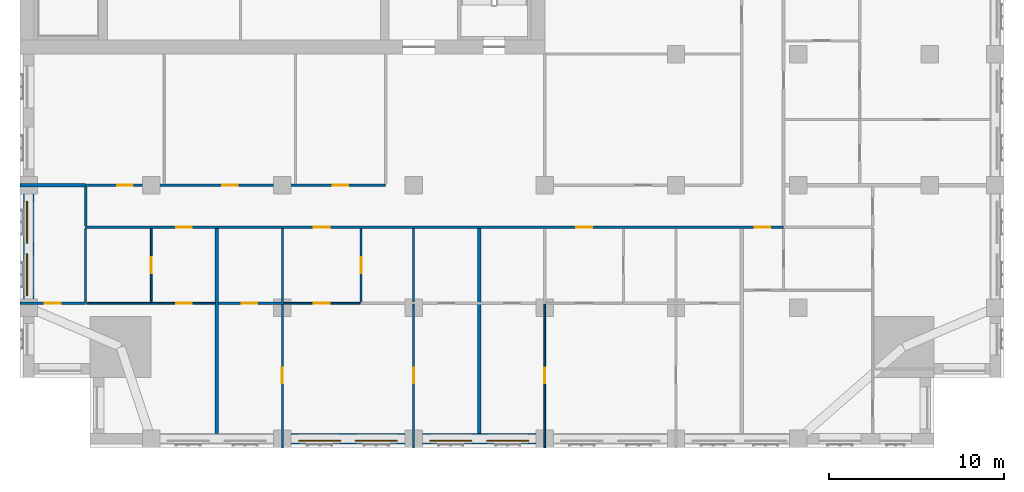
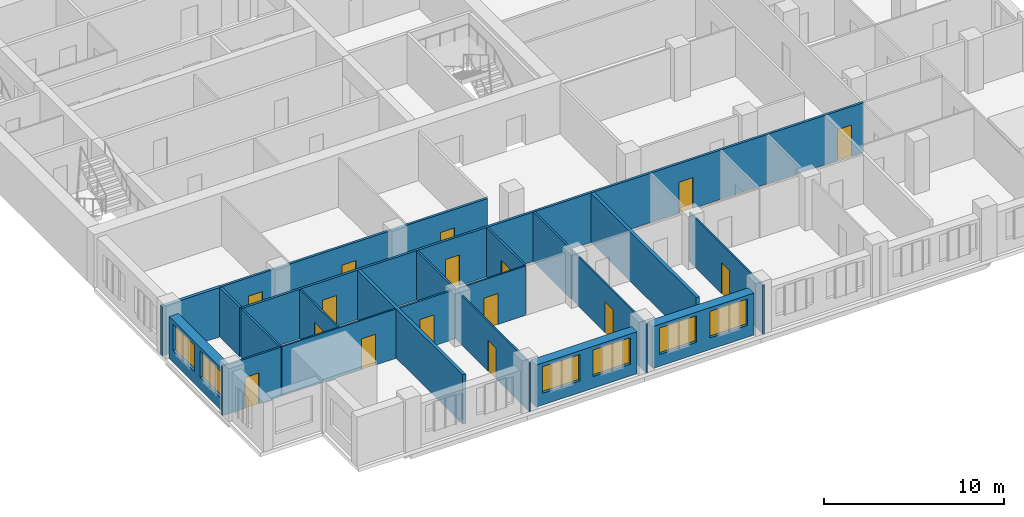
# One storey, part 4 of 13: 21 walls, 16 doors, 6 windows, 22 openings.
"""IFC4 building model written with IfcOpenShell, lengths in metres."""

from ifc_helpers import new_model, si_unit, direction, frame, frame_2d, origin, place, context, subcontext, project, spatial, rectangle, extrude, material, layer, layer_set, type_object, element, fill, save


model = new_model("IFC4")

# Units and contexts
model_context = context("Model", 3, precision=1e-05, world=origin(), true_north=direction((0.0, 1.0)))
body_context = subcontext(model_context, "Body", "Model", "MODEL_VIEW")
ifc_project = project(units=[si_unit("LENGTHUNIT", "METRE"), si_unit("AREAUNIT", "SQUARE_METRE"), si_unit("VOLUMEUNIT", "CUBIC_METRE"), si_unit("PLANEANGLEUNIT", "RADIAN"), si_unit("MASSUNIT", "GRAM", prefix="KILO")], contexts=[model_context])

# Site, building, storey
site_placement = place(None, origin())
site = spatial("IfcSite", under=ifc_project, at=site_placement, CompositionType="ELEMENT")
building_placement = place(site_placement, origin())
building = spatial("IfcBuilding", under=site, at=building_placement, Name="Tamorin Gate", CompositionType="ELEMENT")
storey_placement = place(building_placement, frame((0.0, 0.0, 144.60009765625)))
storey = spatial("IfcBuildingStorey", under=building, at=storey_placement, Name="L35", CompositionType="ELEMENT", Elevation=144.60009765625)

# Wall, openings, windows
ifc_material_1 = material(Name="Precast concrete C40/50", Category="concrete")
ifc_layer_1 = layer(ifc_material_1, 0.60009765625)
ifc_layer_set_1 = layer_set([ifc_layer_1], Name="Precast concrete C40/50")
wall_type_1 = type_object("IfcWallType", Name="Board-marked concrete facade panel 600", PredefinedType="SOLIDWALL", material=ifc_layer_set_1)
wall_1_placement = place(storey_placement, frame((45.5, 38.0, 0.0), z_axis=(0.0, 0.0, 1.0), x_axis=(1.0, 0.0, 0.0)))
wall_1 = element("IfcWall", 1, at=wall_1_placement, inside=storey, type_object=wall_type_1, Name="Facade panel", PredefinedType="SOLIDWALL", context=body_context, shape_type="SweptSolid", body=[
    extrude(rectangle(XDim=6.5, YDim=0.60009765625, at=frame_2d((3.25, 0.0))), origin(), (0.0, 0.0, 1.0), 2.849853515625),
])
opening_1_placement = place(wall_1_placement, frame((0.425048828125, 0.0, 0.800048828125)))
opening_1 = element("IfcOpeningElement", 2, at=opening_1_placement, cuts=wall_1, Name="Opening WN1", PredefinedType="OPENING", context=body_context, shape_type="SweptSolid", body=[
    extrude(rectangle(XDim=2.39990234375, YDim=1.800048828125, at=frame_2d((1.199951171875, 0.89990234375))), frame((0.0, 0.31005859375, 0.0), z_axis=(0.0, -1.0, 0.0), x_axis=(1.0, 0.0, 0.0)), (0.0, 0.0, 1.0), 0.6201171875),
])
opening_2_placement = place(wall_1_placement, frame((3.675048828125, 0.0, 0.800048828125)))
opening_2 = element("IfcOpeningElement", 3, at=opening_2_placement, cuts=wall_1, Name="Opening WN1", PredefinedType="OPENING", context=body_context, shape_type="SweptSolid", body=[
    extrude(rectangle(XDim=2.39990234375, YDim=1.800048828125, at=frame_2d((1.199951171875, 0.89990234375))), frame((0.0, 0.31005859375, 0.0), z_axis=(0.0, -1.0, 0.0), x_axis=(1.0, 0.0, 0.0)), (0.0, 0.0, 1.0), 0.6201171875),
])
ifc_material_2 = material(Name="Clear glass in aluminium frame", Category="aluminium")
window_type = type_object("IfcWindowType", Name="Deep-set window 2400x1800", PartitioningType="SINGLE_PANEL", PredefinedType="WINDOW", material=ifc_material_2)
window_1_placement = place(opening_1_placement, origin())
window_1 = element("IfcWindow", 4, at=window_1_placement, inside=storey, type_object=window_type, Name="Deep-set window", OverallHeight=1.800048828125, OverallWidth=2.39990234375, PartitioningType="SINGLE_PANEL", PredefinedType="WINDOW", context=body_context, shape_type="SweptSolid", body=[
    extrude(rectangle(XDim=2.39990234375, YDim=1.800048828125, at=frame_2d((1.199951171875, 0.89990234375))), frame((0.0, -0.070068359375, 0.0), z_axis=(0.0, -1.0, 0.0), x_axis=(1.0, 0.0, 0.0)), (0.0, 0.0, 1.0), 0.06005859375),
])
fill(opening_1, window_1)
window_2_placement = place(opening_2_placement, origin())
window_2 = element("IfcWindow", 5, at=window_2_placement, inside=storey, type_object=window_type, Name="Deep-set window", OverallHeight=1.800048828125, OverallWidth=2.39990234375, PartitioningType="SINGLE_PANEL", PredefinedType="WINDOW", context=body_context, shape_type="SweptSolid", body=[
    extrude(rectangle(XDim=2.39990234375, YDim=1.800048828125, at=frame_2d((1.199951171875, 0.89990234375))), frame((0.0, -0.070068359375, 0.0), z_axis=(0.0, -1.0, 0.0), x_axis=(1.0, 0.0, 0.0)), (0.0, 0.0, 1.0), 0.06005859375),
])
fill(opening_2, window_2)

wall_2_placement = place(storey_placement, frame((53.0, 38.0, 0.0), z_axis=(0.0, 0.0, 1.0), x_axis=(1.0, 0.0, 0.0)))
wall_2 = element("IfcWall", 6, at=wall_2_placement, inside=storey, type_object=wall_type_1, Name="Facade panel", PredefinedType="SOLIDWALL", context=body_context, shape_type="SweptSolid", body=[
    extrude(rectangle(XDim=6.5, YDim=0.60009765625, at=frame_2d((3.25, 0.0))), origin(), (0.0, 0.0, 1.0), 2.849853515625),
])
opening_3_placement = place(wall_2_placement, frame((0.425048828125, 0.0, 0.800048828125)))
opening_3 = element("IfcOpeningElement", 7, at=opening_3_placement, cuts=wall_2, Name="Opening WN1", PredefinedType="OPENING", context=body_context, shape_type="SweptSolid", body=[
    extrude(rectangle(XDim=2.39990234375, YDim=1.800048828125, at=frame_2d((1.199951171875, 0.89990234375))), frame((0.0, 0.31005859375, 0.0), z_axis=(0.0, -1.0, 0.0), x_axis=(1.0, 0.0, 0.0)), (0.0, 0.0, 1.0), 0.6201171875),
])
opening_4_placement = place(wall_2_placement, frame((3.675048828125, 0.0, 0.800048828125)))
opening_4 = element("IfcOpeningElement", 8, at=opening_4_placement, cuts=wall_2, Name="Opening WN1", PredefinedType="OPENING", context=body_context, shape_type="SweptSolid", body=[
    extrude(rectangle(XDim=2.39990234375, YDim=1.800048828125, at=frame_2d((1.199951171875, 0.89990234375))), frame((0.0, 0.31005859375, 0.0), z_axis=(0.0, -1.0, 0.0), x_axis=(1.0, 0.0, 0.0)), (0.0, 0.0, 1.0), 0.6201171875),
])
window_3_placement = place(opening_3_placement, origin())
window_3 = element("IfcWindow", 9, at=window_3_placement, inside=storey, type_object=window_type, Name="Deep-set window", OverallHeight=1.800048828125, OverallWidth=2.39990234375, PartitioningType="SINGLE_PANEL", PredefinedType="WINDOW", context=body_context, shape_type="SweptSolid", body=[
    extrude(rectangle(XDim=2.39990234375, YDim=1.800048828125, at=frame_2d((1.199951171875, 0.89990234375))), frame((0.0, -0.070068359375, 0.0), z_axis=(0.0, -1.0, 0.0), x_axis=(1.0, 0.0, 0.0)), (0.0, 0.0, 1.0), 0.06005859375),
])
fill(opening_3, window_3)
window_4_placement = place(opening_4_placement, origin())
window_4 = element("IfcWindow", 10, at=window_4_placement, inside=storey, type_object=window_type, Name="Deep-set window", OverallHeight=1.800048828125, OverallWidth=2.39990234375, PartitioningType="SINGLE_PANEL", PredefinedType="WINDOW", context=body_context, shape_type="SweptSolid", body=[
    extrude(rectangle(XDim=2.39990234375, YDim=1.800048828125, at=frame_2d((1.199951171875, 0.89990234375))), frame((0.0, -0.070068359375, 0.0), z_axis=(0.0, -1.0, 0.0), x_axis=(1.0, 0.0, 0.0)), (0.0, 0.0, 1.0), 0.06005859375),
])
fill(opening_4, window_4)

wall_3_placement = place(storey_placement, frame((30.5, 52.0, 0.0), z_axis=(0.0, 0.0, 1.0), x_axis=(0.0, -1.0, 0.0)))
wall_3 = element("IfcWall", 11, at=wall_3_placement, inside=storey, type_object=wall_type_1, Name="Facade panel", PredefinedType="SOLIDWALL", context=body_context, shape_type="SweptSolid", body=[
    extrude(rectangle(XDim=6.0, YDim=0.60009765625, at=frame_2d((3.0, 0.0))), origin(), (0.0, 0.0, 1.0), 2.849853515625),
])
opening_5_placement = place(wall_3_placement, frame((3.425048828125, 0.0, 0.800048828125)))
opening_5 = element("IfcOpeningElement", 12, at=opening_5_placement, cuts=wall_3, Name="Opening WN1", PredefinedType="OPENING", context=body_context, shape_type="SweptSolid", body=[
    extrude(rectangle(XDim=2.39990234375, YDim=1.800048828125, at=frame_2d((1.199951171875, 0.89990234375))), frame((0.0, 0.31005859375, 0.0), z_axis=(0.0, -1.0, 0.0), x_axis=(1.0, 0.0, 0.0)), (0.0, 0.0, 1.0), 0.6201171875),
])
opening_6_placement = place(wall_3_placement, frame((0.425048828125, 0.0, 0.800048828125)))
opening_6 = element("IfcOpeningElement", 13, at=opening_6_placement, cuts=wall_3, Name="Opening WN1", PredefinedType="OPENING", context=body_context, shape_type="SweptSolid", body=[
    extrude(rectangle(XDim=2.39990234375, YDim=1.800048828125, at=frame_2d((1.199951171875, 0.89990234375))), frame((0.0, 0.31005859375, 0.0), z_axis=(0.0, -1.0, 0.0), x_axis=(1.0, 0.0, 0.0)), (0.0, 0.0, 1.0), 0.6201171875),
])
window_5_placement = place(opening_5_placement, origin())
window_5 = element("IfcWindow", 14, at=window_5_placement, inside=storey, type_object=window_type, Name="Deep-set window", OverallHeight=1.800048828125, OverallWidth=2.39990234375, PartitioningType="SINGLE_PANEL", PredefinedType="WINDOW", context=body_context, shape_type="SweptSolid", body=[
    extrude(rectangle(XDim=2.39990234375, YDim=1.800048828125, at=frame_2d((1.199951171875, 0.89990234375))), frame((0.0, -0.070068359375, 0.0), z_axis=(0.0, -1.0, 0.0), x_axis=(1.0, 0.0, 0.0)), (0.0, 0.0, 1.0), 0.06005859375),
])
fill(opening_5, window_5)
window_6_placement = place(opening_6_placement, origin())
window_6 = element("IfcWindow", 15, at=window_6_placement, inside=storey, type_object=window_type, Name="Deep-set window", OverallHeight=1.800048828125, OverallWidth=2.39990234375, PartitioningType="SINGLE_PANEL", PredefinedType="WINDOW", context=body_context, shape_type="SweptSolid", body=[
    extrude(rectangle(XDim=2.39990234375, YDim=1.800048828125, at=frame_2d((1.199951171875, 0.89990234375))), frame((0.0, -0.070068359375, 0.0), z_axis=(0.0, -1.0, 0.0), x_axis=(1.0, 0.0, 0.0)), (0.0, 0.0, 1.0), 0.06005859375),
])
fill(opening_6, window_6)

# Wall, openings, doors
ifc_material_3 = material(Name="Gypsum board partition")
ifc_layer_2 = layer(ifc_material_3, 0.14990234375)
ifc_layer_set_2 = layer_set([ifc_layer_2], Name="Corridor wall 150")
wall_type_2 = type_object("IfcWallType", Name="Corridor wall 150", PredefinedType="PARTITIONING", material=ifc_layer_set_2)
wall_4_placement = place(storey_placement, frame((33.75, 50.10009765625, 0.0), z_axis=(0.0, 0.0, 1.0), x_axis=(1.0, 0.0, 0.0)))
wall_4 = element("IfcWall", 16, at=wall_4_placement, inside=storey, type_object=wall_type_2, Name="Corridor wall 150", PredefinedType="PARTITIONING", context=body_context, shape_type="SweptSolid", body=[
    extrude(rectangle(XDim=39.89990234375, YDim=0.14990234375, at=frame_2d((19.949951171875, 0.0))), origin(), (0.0, 0.0, 1.0), 3.349853515625),
])
opening_7_placement = place(wall_4_placement, frame((5.175048828125, 0.0, 0.0)))
opening_7 = element("IfcOpeningElement", 17, at=opening_7_placement, cuts=wall_4, Name="Opening DS1003", PredefinedType="OPENING", context=body_context, shape_type="SweptSolid", body=[
    extrude(rectangle(XDim=0.89990234375, YDim=2.10009765625, at=frame_2d((0.449951171875, 1.050048828125))), frame((0.0, 0.0849609375, 0.0), z_axis=(0.0, -1.0, 0.0), x_axis=(1.0, 0.0, 0.0)), (0.0, 0.0, 1.0), 0.169921875),
])
opening_8_placement = place(wall_4_placement, frame((13.050048828125, 0.0, 0.0)))
opening_8 = element("IfcOpeningElement", 18, at=opening_8_placement, cuts=wall_4, Name="Opening DS1006", PredefinedType="OPENING", context=body_context, shape_type="SweptSolid", body=[
    extrude(rectangle(XDim=0.89990234375, YDim=2.10009765625, at=frame_2d((0.449951171875, 1.050048828125))), frame((0.0, 0.0849609375, 0.0), z_axis=(0.0, -1.0, 0.0), x_axis=(1.0, 0.0, 0.0)), (0.0, 0.0, 1.0), 0.169921875),
])
opening_9_placement = place(wall_4_placement, frame((28.050048828125, 0.0, 0.0)))
opening_9 = element("IfcOpeningElement", 19, at=opening_9_placement, cuts=wall_4, Name="Opening DS1013", PredefinedType="OPENING", context=body_context, shape_type="SweptSolid", body=[
    extrude(rectangle(XDim=0.89990234375, YDim=2.10009765625, at=frame_2d((0.449951171875, 1.050048828125))), frame((0.0, 0.0849609375, 0.0), z_axis=(0.0, -1.0, 0.0), x_axis=(1.0, 0.0, 0.0)), (0.0, 0.0, 1.0), 0.169921875),
])
opening_10_placement = place(wall_4_placement, frame((38.25, 0.0, 0.0)))
opening_10 = element("IfcOpeningElement", 20, at=opening_10_placement, cuts=wall_4, Name="Opening DS1051", PredefinedType="OPENING", context=body_context, shape_type="SweptSolid", body=[
    extrude(rectangle(XDim=0.89990234375, YDim=2.10009765625, at=frame_2d((0.449951171875, 1.050048828125))), frame((0.0, 0.0849609375, 0.0), z_axis=(0.0, -1.0, 0.0), x_axis=(1.0, 0.0, 0.0)), (0.0, 0.0, 1.0), 0.169921875),
])
ifc_material_4 = material(Name="Timber door leaf", Category="wood")
door_type_1 = type_object("IfcDoorType", Name="Door 900 x 2100 FD30S", OperationType="NOTDEFINED", PredefinedType="DOOR", material=ifc_material_4)
door_1_placement = place(opening_7_placement, origin())
door_1 = element("IfcDoor", 21, at=door_1_placement, inside=storey, type_object=door_type_1, Name="Door DS1003", OperationType="SINGLE_SWING_RIGHT", OverallHeight=2.10009765625, OverallWidth=0.89990234375, PredefinedType="DOOR", context=body_context, shape_type="SweptSolid", body=[
    extrude(rectangle(XDim=0.89990234375, YDim=2.10009765625, at=frame_2d((0.449951171875, 1.050048828125))), frame((0.0, 0.02490234375, 0.0), z_axis=(0.0, -1.0, 0.0), x_axis=(1.0, 0.0, 0.0)), (0.0, 0.0, 1.0), 0.050048828125),
])
fill(opening_7, door_1)
door_2_placement = place(opening_8_placement, origin())
door_2 = element("IfcDoor", 22, at=door_2_placement, inside=storey, type_object=door_type_1, Name="Door DS1006", OperationType="SINGLE_SWING_RIGHT", OverallHeight=2.10009765625, OverallWidth=0.89990234375, PredefinedType="DOOR", context=body_context, shape_type="SweptSolid", body=[
    extrude(rectangle(XDim=0.89990234375, YDim=2.10009765625, at=frame_2d((0.449951171875, 1.050048828125))), frame((0.0, 0.02490234375, 0.0), z_axis=(0.0, -1.0, 0.0), x_axis=(1.0, 0.0, 0.0)), (0.0, 0.0, 1.0), 0.050048828125),
])
fill(opening_8, door_2)
door_3_placement = place(opening_9_placement, origin())
door_3 = element("IfcDoor", 23, at=door_3_placement, inside=storey, type_object=door_type_1, Name="Door DS1013", OperationType="SINGLE_SWING_RIGHT", OverallHeight=2.10009765625, OverallWidth=0.89990234375, PredefinedType="DOOR", context=body_context, shape_type="SweptSolid", body=[
    extrude(rectangle(XDim=0.89990234375, YDim=2.10009765625, at=frame_2d((0.449951171875, 1.050048828125))), frame((0.0, 0.02490234375, 0.0), z_axis=(0.0, -1.0, 0.0), x_axis=(1.0, 0.0, 0.0)), (0.0, 0.0, 1.0), 0.050048828125),
])
fill(opening_9, door_3)
door_4_placement = place(opening_10_placement, origin())
door_4 = element("IfcDoor", 24, at=door_4_placement, inside=storey, type_object=door_type_1, Name="Door DS1051", OperationType="SINGLE_SWING_LEFT", OverallHeight=2.10009765625, OverallWidth=0.89990234375, PredefinedType="DOOR", context=body_context, shape_type="SweptSolid", body=[
    extrude(rectangle(XDim=0.89990234375, YDim=2.10009765625, at=frame_2d((0.449951171875, 1.050048828125))), frame((0.0, 0.02490234375, 0.0), z_axis=(0.0, -1.0, 0.0), x_axis=(1.0, 0.0, 0.0)), (0.0, 0.0, 1.0), 0.050048828125),
])
fill(opening_10, door_4)

wall_5_placement = place(storey_placement, frame((33.75, 52.5, 0.0), z_axis=(0.0, 0.0, 1.0), x_axis=(1.0, 0.0, 0.0)))
wall_5 = element("IfcWall", 25, at=wall_5_placement, inside=storey, type_object=wall_type_2, Name="Corridor wall 150", PredefinedType="PARTITIONING", context=body_context, shape_type="SweptSolid", body=[
    extrude(rectangle(XDim=17.14990234375, YDim=0.14990234375, at=frame_2d((8.574951171875, 0.0))), origin(), (0.0, 0.0, 1.0), 3.349853515625),
])
opening_11_placement = place(wall_5_placement, frame((1.800048828125, 0.0, 0.0)))
opening_11 = element("IfcOpeningElement", 26, at=opening_11_placement, cuts=wall_5, Name="Opening DS1063", PredefinedType="OPENING", context=body_context, shape_type="SweptSolid", body=[
    extrude(rectangle(XDim=0.89990234375, YDim=2.10009765625, at=frame_2d((0.449951171875, 1.050048828125))), frame((0.0, 0.0849609375, 0.0), z_axis=(0.0, -1.0, 0.0), x_axis=(1.0, 0.0, 0.0)), (0.0, 0.0, 1.0), 0.169921875),
])
opening_12_placement = place(wall_5_placement, frame((7.800048828125, 0.0, 0.0)))
opening_12 = element("IfcOpeningElement", 27, at=opening_12_placement, cuts=wall_5, Name="Opening DS1064", PredefinedType="OPENING", context=body_context, shape_type="SweptSolid", body=[
    extrude(rectangle(XDim=0.89990234375, YDim=2.10009765625, at=frame_2d((0.449951171875, 1.050048828125))), frame((0.0, 0.0849609375, 0.0), z_axis=(0.0, -1.0, 0.0), x_axis=(1.0, 0.0, 0.0)), (0.0, 0.0, 1.0), 0.169921875),
])
opening_13_placement = place(wall_5_placement, frame((14.125, 0.0, 0.0)))
opening_13 = element("IfcOpeningElement", 28, at=opening_13_placement, cuts=wall_5, Name="Opening DS1065", PredefinedType="OPENING", context=body_context, shape_type="SweptSolid", body=[
    extrude(rectangle(XDim=0.89990234375, YDim=2.10009765625, at=frame_2d((0.449951171875, 1.050048828125))), frame((0.0, 0.0849609375, 0.0), z_axis=(0.0, -1.0, 0.0), x_axis=(1.0, 0.0, 0.0)), (0.0, 0.0, 1.0), 0.169921875),
])
door_5_placement = place(opening_11_placement, origin())
door_5 = element("IfcDoor", 29, at=door_5_placement, inside=storey, type_object=door_type_1, Name="Door DS1063", OperationType="SINGLE_SWING_LEFT", OverallHeight=2.10009765625, OverallWidth=0.89990234375, PredefinedType="DOOR", context=body_context, shape_type="SweptSolid", body=[
    extrude(rectangle(XDim=0.89990234375, YDim=2.10009765625, at=frame_2d((0.449951171875, 1.050048828125))), frame((0.0, 0.02490234375, 0.0), z_axis=(0.0, -1.0, 0.0), x_axis=(1.0, 0.0, 0.0)), (0.0, 0.0, 1.0), 0.050048828125),
])
fill(opening_11, door_5)
door_6_placement = place(opening_12_placement, origin())
door_6 = element("IfcDoor", 30, at=door_6_placement, inside=storey, type_object=door_type_1, Name="Door DS1064", OperationType="SINGLE_SWING_LEFT", OverallHeight=2.10009765625, OverallWidth=0.89990234375, PredefinedType="DOOR", context=body_context, shape_type="SweptSolid", body=[
    extrude(rectangle(XDim=0.89990234375, YDim=2.10009765625, at=frame_2d((0.449951171875, 1.050048828125))), frame((0.0, 0.02490234375, 0.0), z_axis=(0.0, -1.0, 0.0), x_axis=(1.0, 0.0, 0.0)), (0.0, 0.0, 1.0), 0.050048828125),
])
fill(opening_12, door_6)
door_7_placement = place(opening_13_placement, origin())
door_7 = element("IfcDoor", 31, at=door_7_placement, inside=storey, type_object=door_type_1, Name="Door DS1065", OperationType="SINGLE_SWING_LEFT", OverallHeight=2.10009765625, OverallWidth=0.89990234375, PredefinedType="DOOR", context=body_context, shape_type="SweptSolid", body=[
    extrude(rectangle(XDim=0.89990234375, YDim=2.10009765625, at=frame_2d((0.449951171875, 1.050048828125))), frame((0.0, 0.02490234375, 0.0), z_axis=(0.0, -1.0, 0.0), x_axis=(1.0, 0.0, 0.0)), (0.0, 0.0, 1.0), 0.050048828125),
])
fill(opening_13, door_7)

# Walls
wall_6_placement = place(storey_placement, frame((33.75, 50.175048828125, 0.0), z_axis=(0.0, 0.0, 1.0), x_axis=(0.0, 1.0, 0.0)))
element("IfcWall", 32, at=wall_6_placement, inside=storey, type_object=wall_type_2, Name="Corridor wall 150", PredefinedType="PARTITIONING", context=body_context, shape_type="SweptSolid", body=[
    extrude(rectangle(XDim=2.224853515625, YDim=0.14990234375, at=frame_2d((1.1123046875, 0.0))), origin(), (0.0, 0.0, 1.0), 3.349853515625),
])
ifc_layer_3 = layer(ifc_material_3, 0.199951171875)
ifc_layer_set_3 = layer_set([ifc_layer_3], Name="Demising wall 200")
wall_type_3 = type_object("IfcWallType", Name="Demising wall 200", PredefinedType="PARTITIONING", material=ifc_layer_set_3)
wall_7_placement = place(storey_placement, frame((30.0, 52.5, 0.0), z_axis=(0.0, 0.0, 1.0), x_axis=(1.0, 0.0, 0.0)))
element("IfcWall", 33, at=wall_7_placement, inside=storey, type_object=wall_type_3, Name="Demising wall 200", PredefinedType="PARTITIONING", context=body_context, shape_type="SweptSolid", body=[
    extrude(rectangle(XDim=3.75, YDim=0.199951171875, at=frame_2d((1.875, 0.0))), origin(), (0.0, 0.0, 1.0), 3.349853515625),
])
for number, where, z_axis, x_axis, name in (
    (34, (41.25, 38.31005859375, 0.0), (0.0, 0.0, 1.0), (0.0, 1.0, 0.0), "Demising wall 200"),
    (35, (56.25, 38.31005859375, 0.0), (0.0, 0.0, 1.0), (0.0, 1.0, 0.0), "Demising wall 200"),
):
    element("IfcWall", number, at=place(storey_placement, frame(where, z_axis=z_axis, x_axis=x_axis)), inside=storey, type_object=wall_type_3, Name=name, PredefinedType="PARTITIONING", context=body_context, shape_type="SweptSolid", body=[
        extrude(rectangle(XDim=11.71484375, YDim=0.199951171875, at=frame_2d((5.857421875, 0.0))), origin(), (0.0, 0.0, 1.0), 3.349853515625),
    ])

# Wall, opening, door
ifc_layer_4 = layer(ifc_material_3, 0.10009765625)
ifc_layer_set_4 = layer_set([ifc_layer_4], Name="Room partition 100")
wall_type_4 = type_object("IfcWallType", Name="Room partition 100", PredefinedType="PARTITIONING", material=ifc_layer_set_4)
wall_8_placement = place(storey_placement, frame((33.8125, 45.75, 0.0), z_axis=(0.0, 0.0, 1.0), x_axis=(1.0, 0.0, 0.0)))
wall_8 = element("IfcWall", 36, at=wall_8_placement, inside=storey, type_object=wall_type_4, Name="Room partition 100", PredefinedType="PARTITIONING", context=body_context, shape_type="SweptSolid", body=[
    extrude(rectangle(XDim=7.33740234375, YDim=0.10009765625, at=frame_2d((3.668701171875, 0.0))), origin(), (0.0, 0.0, 1.0), 3.349853515625),
])
opening_14_placement = place(wall_8_placement, frame((5.112548828125, 0.0, 0.0)))
opening_14 = element("IfcOpeningElement", 37, at=opening_14_placement, cuts=wall_8, Name="Opening DS1004", PredefinedType="OPENING", context=body_context, shape_type="SweptSolid", body=[
    extrude(rectangle(XDim=0.89990234375, YDim=2.10009765625, at=frame_2d((0.449951171875, 1.050048828125))), frame((0.0, 0.06005859375, 0.0), z_axis=(0.0, -1.0, 0.0), x_axis=(1.0, 0.0, 0.0)), (0.0, 0.0, 1.0), 0.1201171875),
])
door_type_2 = type_object("IfcDoorType", Name="Door 900 x 2100", OperationType="NOTDEFINED", PredefinedType="DOOR", material=ifc_material_4)
door_8_placement = place(opening_14_placement, origin())
door_8 = element("IfcDoor", 38, at=door_8_placement, inside=storey, type_object=door_type_2, Name="Door DS1004", OperationType="SINGLE_SWING_LEFT", OverallHeight=2.10009765625, OverallWidth=0.89990234375, PredefinedType="DOOR", context=body_context, shape_type="SweptSolid", body=[
    extrude(rectangle(XDim=0.89990234375, YDim=2.10009765625, at=frame_2d((0.449951171875, 1.050048828125))), frame((0.0, 0.02490234375, 0.0), z_axis=(0.0, -1.0, 0.0), x_axis=(1.0, 0.0, 0.0)), (0.0, 0.0, 1.0), 0.050048828125),
])
fill(opening_14, door_8)

wall_9_placement = place(storey_placement, frame((45.0625, 45.75, 0.0), z_axis=(0.0, 0.0, 1.0), x_axis=(1.0, 0.0, 0.0)))
wall_9 = element("IfcWall", 39, at=wall_9_placement, inside=storey, type_object=wall_type_4, Name="Room partition 100", PredefinedType="PARTITIONING", context=body_context, shape_type="SweptSolid", body=[
    extrude(rectangle(XDim=4.375, YDim=0.10009765625, at=frame_2d((2.1875, 0.0))), origin(), (0.0, 0.0, 1.0), 3.349853515625),
])
opening_15_placement = place(wall_9_placement, frame((1.737548828125, 0.0, 0.0)))
opening_15 = element("IfcOpeningElement", 40, at=opening_15_placement, cuts=wall_9, Name="Opening DS1007", PredefinedType="OPENING", context=body_context, shape_type="SweptSolid", body=[
    extrude(rectangle(XDim=0.89990234375, YDim=2.10009765625, at=frame_2d((0.449951171875, 1.050048828125))), frame((0.0, 0.06005859375, 0.0), z_axis=(0.0, -1.0, 0.0), x_axis=(1.0, 0.0, 0.0)), (0.0, 0.0, 1.0), 0.1201171875),
])
door_9_placement = place(opening_15_placement, origin())
door_9 = element("IfcDoor", 41, at=door_9_placement, inside=storey, type_object=door_type_2, Name="Door DS1007", OperationType="SINGLE_SWING_LEFT", OverallHeight=2.10009765625, OverallWidth=0.89990234375, PredefinedType="DOOR", context=body_context, shape_type="SweptSolid", body=[
    extrude(rectangle(XDim=0.89990234375, YDim=2.10009765625, at=frame_2d((0.449951171875, 1.050048828125))), frame((0.0, 0.02490234375, 0.0), z_axis=(0.0, -1.0, 0.0), x_axis=(1.0, 0.0, 0.0)), (0.0, 0.0, 1.0), 0.050048828125),
])
fill(opening_15, door_9)

wall_10_placement = place(storey_placement, frame((37.5, 45.800048828125, 0.0), z_axis=(0.0, 0.0, 1.0), x_axis=(0.0, 1.0, 0.0)))
wall_10 = element("IfcWall", 42, at=wall_10_placement, inside=storey, type_object=wall_type_4, Name="Room partition 100", PredefinedType="PARTITIONING", context=body_context, shape_type="SweptSolid", body=[
    extrude(rectangle(XDim=4.224853515625, YDim=0.10009765625, at=frame_2d((2.1123046875, 0.0))), origin(), (0.0, 0.0, 1.0), 3.349853515625),
])
opening_16_placement = place(wall_10_placement, frame((1.675048828125, 0.0, 0.0)))
opening_16 = element("IfcOpeningElement", 43, at=opening_16_placement, cuts=wall_10, Name="Opening DS1002", PredefinedType="OPENING", context=body_context, shape_type="SweptSolid", body=[
    extrude(rectangle(XDim=0.89990234375, YDim=2.10009765625, at=frame_2d((0.449951171875, 1.050048828125))), frame((0.0, 0.06005859375, 0.0), z_axis=(0.0, -1.0, 0.0), x_axis=(1.0, 0.0, 0.0)), (0.0, 0.0, 1.0), 0.1201171875),
])
door_10_placement = place(opening_16_placement, origin())
door_10 = element("IfcDoor", 44, at=door_10_placement, inside=storey, type_object=door_type_2, Name="Door DS1002", OperationType="SINGLE_SWING_RIGHT", OverallHeight=2.10009765625, OverallWidth=0.89990234375, PredefinedType="DOOR", context=body_context, shape_type="SweptSolid", body=[
    extrude(rectangle(XDim=0.89990234375, YDim=2.10009765625, at=frame_2d((0.449951171875, 1.050048828125))), frame((0.0, 0.02490234375, 0.0), z_axis=(0.0, -1.0, 0.0), x_axis=(1.0, 0.0, 0.0)), (0.0, 0.0, 1.0), 0.050048828125),
])
fill(opening_16, door_10)

wall_11_placement = place(storey_placement, frame((45.0, 37.5, 0.0), z_axis=(0.0, 0.0, 1.0), x_axis=(0.0, 1.0, 0.0)))
wall_11 = element("IfcWall", 45, at=wall_11_placement, inside=storey, type_object=wall_type_4, Name="Room partition 100", PredefinedType="PARTITIONING", context=body_context, shape_type="SweptSolid", body=[
    extrude(rectangle(XDim=8.1875, YDim=0.10009765625, at=frame_2d((4.09375, 0.0))), origin(), (0.0, 0.0, 1.0), 3.349853515625),
])
opening_17_placement = place(wall_11_placement, frame((3.675048828125, 0.0, 0.0)))
opening_17 = element("IfcOpeningElement", 46, at=opening_17_placement, cuts=wall_11, Name="Opening DS1010", PredefinedType="OPENING", context=body_context, shape_type="SweptSolid", body=[
    extrude(rectangle(XDim=0.89990234375, YDim=2.10009765625, at=frame_2d((0.449951171875, 1.050048828125))), frame((0.0, 0.06005859375, 0.0), z_axis=(0.0, -1.0, 0.0), x_axis=(1.0, 0.0, 0.0)), (0.0, 0.0, 1.0), 0.1201171875),
])
door_11_placement = place(opening_17_placement, origin())
door_11 = element("IfcDoor", 47, at=door_11_placement, inside=storey, type_object=door_type_2, Name="Door DS1010", OperationType="SINGLE_SWING_LEFT", OverallHeight=2.10009765625, OverallWidth=0.89990234375, PredefinedType="DOOR", context=body_context, shape_type="SweptSolid", body=[
    extrude(rectangle(XDim=0.89990234375, YDim=2.10009765625, at=frame_2d((0.449951171875, 1.050048828125))), frame((0.0, 0.02490234375, 0.0), z_axis=(0.0, -1.0, 0.0), x_axis=(1.0, 0.0, 0.0)), (0.0, 0.0, 1.0), 0.050048828125),
])
fill(opening_17, door_11)

wall_12_placement = place(storey_placement, frame((52.5, 37.5, 0.0), z_axis=(0.0, 0.0, 1.0), x_axis=(0.0, 1.0, 0.0)))
wall_12 = element("IfcWall", 48, at=wall_12_placement, inside=storey, type_object=wall_type_4, Name="Room partition 100", PredefinedType="PARTITIONING", context=body_context, shape_type="SweptSolid", body=[
    extrude(rectangle(XDim=8.1875, YDim=0.10009765625, at=frame_2d((4.09375, 0.0))), origin(), (0.0, 0.0, 1.0), 3.349853515625),
])
opening_18_placement = place(wall_12_placement, frame((3.675048828125, 0.0, 0.0)))
opening_18 = element("IfcOpeningElement", 49, at=opening_18_placement, cuts=wall_12, Name="Opening DS1011", PredefinedType="OPENING", context=body_context, shape_type="SweptSolid", body=[
    extrude(rectangle(XDim=0.89990234375, YDim=2.10009765625, at=frame_2d((0.449951171875, 1.050048828125))), frame((0.0, 0.06005859375, 0.0), z_axis=(0.0, -1.0, 0.0), x_axis=(1.0, 0.0, 0.0)), (0.0, 0.0, 1.0), 0.1201171875),
])
door_12_placement = place(opening_18_placement, origin())
door_12 = element("IfcDoor", 50, at=door_12_placement, inside=storey, type_object=door_type_2, Name="Door DS1011", OperationType="SINGLE_SWING_LEFT", OverallHeight=2.10009765625, OverallWidth=0.89990234375, PredefinedType="DOOR", context=body_context, shape_type="SweptSolid", body=[
    extrude(rectangle(XDim=0.89990234375, YDim=2.10009765625, at=frame_2d((0.449951171875, 1.050048828125))), frame((0.0, 0.02490234375, 0.0), z_axis=(0.0, -1.0, 0.0), x_axis=(1.0, 0.0, 0.0)), (0.0, 0.0, 1.0), 0.050048828125),
])
fill(opening_18, door_12)

wall_13_placement = place(storey_placement, frame((60.0, 37.5, 0.0), z_axis=(0.0, 0.0, 1.0), x_axis=(0.0, 1.0, 0.0)))
wall_13 = element("IfcWall", 51, at=wall_13_placement, inside=storey, type_object=wall_type_4, Name="Room partition 100", PredefinedType="PARTITIONING", context=body_context, shape_type="SweptSolid", body=[
    extrude(rectangle(XDim=8.1875, YDim=0.10009765625, at=frame_2d((4.09375, 0.0))), origin(), (0.0, 0.0, 1.0), 3.349853515625),
])
opening_19_placement = place(wall_13_placement, frame((3.675048828125, 0.0, 0.0)))
opening_19 = element("IfcOpeningElement", 52, at=opening_19_placement, cuts=wall_13, Name="Opening DS1017", PredefinedType="OPENING", context=body_context, shape_type="SweptSolid", body=[
    extrude(rectangle(XDim=0.89990234375, YDim=2.10009765625, at=frame_2d((0.449951171875, 1.050048828125))), frame((0.0, 0.06005859375, 0.0), z_axis=(0.0, -1.0, 0.0), x_axis=(1.0, 0.0, 0.0)), (0.0, 0.0, 1.0), 0.1201171875),
])
door_13_placement = place(opening_19_placement, origin())
door_13 = element("IfcDoor", 53, at=door_13_placement, inside=storey, type_object=door_type_2, Name="Door DS1017", OperationType="SINGLE_SWING_LEFT", OverallHeight=2.10009765625, OverallWidth=0.89990234375, PredefinedType="DOOR", context=body_context, shape_type="SweptSolid", body=[
    extrude(rectangle(XDim=0.89990234375, YDim=2.10009765625, at=frame_2d((0.449951171875, 1.050048828125))), frame((0.0, 0.02490234375, 0.0), z_axis=(0.0, -1.0, 0.0), x_axis=(1.0, 0.0, 0.0)), (0.0, 0.0, 1.0), 0.050048828125),
])
fill(opening_19, door_13)

ifc_layer_5 = layer(ifc_material_3, 0.125)
ifc_layer_set_5 = layer_set([ifc_layer_5], Name="Wet wall 125")
wall_type_5 = type_object("IfcWallType", Name="Wet wall 125", PredefinedType="PARTITIONING", material=ifc_layer_set_5)
wall_14_placement = place(storey_placement, frame((30.0, 45.75, 0.0), z_axis=(0.0, 0.0, 1.0), x_axis=(1.0, 0.0, 0.0)))
wall_14 = element("IfcWall", 54, at=wall_14_placement, inside=storey, type_object=wall_type_5, Name="Wet wall 125", PredefinedType="PARTITIONING", context=body_context, shape_type="SweptSolid", body=[
    extrude(rectangle(XDim=3.75, YDim=0.125, at=frame_2d((1.875, 0.0))), origin(), (0.0, 0.0, 1.0), 3.349853515625),
])
opening_20_placement = place(wall_14_placement, frame((1.425048828125, 0.0, 0.0)))
opening_20 = element("IfcOpeningElement", 55, at=opening_20_placement, cuts=wall_14, Name="Opening DS1001", PredefinedType="OPENING", context=body_context, shape_type="SweptSolid", body=[
    extrude(rectangle(XDim=0.89990234375, YDim=2.10009765625, at=frame_2d((0.449951171875, 1.050048828125))), frame((0.0, 0.072509765625, 0.0), z_axis=(0.0, -1.0, 0.0), x_axis=(1.0, 0.0, 0.0)), (0.0, 0.0, 1.0), 0.14501953125),
])
door_14_placement = place(opening_20_placement, origin())
door_14 = element("IfcDoor", 56, at=door_14_placement, inside=storey, type_object=door_type_2, Name="Door DS1001", OperationType="SINGLE_SWING_LEFT", OverallHeight=2.10009765625, OverallWidth=0.89990234375, PredefinedType="DOOR", context=body_context, shape_type="SweptSolid", body=[
    extrude(rectangle(XDim=0.89990234375, YDim=2.10009765625, at=frame_2d((0.449951171875, 1.050048828125))), frame((0.0, 0.02490234375, 0.0), z_axis=(0.0, -1.0, 0.0), x_axis=(1.0, 0.0, 0.0)), (0.0, 0.0, 1.0), 0.050048828125),
])
fill(opening_20, door_14)

wall_15_placement = place(storey_placement, frame((41.35009765625, 45.75, 0.0), z_axis=(0.0, 0.0, 1.0), x_axis=(1.0, 0.0, 0.0)))
wall_15 = element("IfcWall", 57, at=wall_15_placement, inside=storey, type_object=wall_type_5, Name="Wet wall 125", PredefinedType="PARTITIONING", context=body_context, shape_type="SweptSolid", body=[
    extrude(rectangle(XDim=3.64990234375, YDim=0.125, at=frame_2d((1.824951171875, 0.0))), origin(), (0.0, 0.0, 1.0), 3.349853515625),
])
opening_21_placement = place(wall_15_placement, frame((1.324951171875, 0.0, 0.0)))
opening_21 = element("IfcOpeningElement", 58, at=opening_21_placement, cuts=wall_15, Name="Opening DS1005", PredefinedType="OPENING", context=body_context, shape_type="SweptSolid", body=[
    extrude(rectangle(XDim=0.89990234375, YDim=2.10009765625, at=frame_2d((0.449951171875, 1.050048828125))), frame((0.0, 0.072509765625, 0.0), z_axis=(0.0, -1.0, 0.0), x_axis=(1.0, 0.0, 0.0)), (0.0, 0.0, 1.0), 0.14501953125),
])
door_15_placement = place(opening_21_placement, origin())
door_15 = element("IfcDoor", 59, at=door_15_placement, inside=storey, type_object=door_type_2, Name="Door DS1005", OperationType="SINGLE_SWING_LEFT", OverallHeight=2.10009765625, OverallWidth=0.89990234375, PredefinedType="DOOR", context=body_context, shape_type="SweptSolid", body=[
    extrude(rectangle(XDim=0.89990234375, YDim=2.10009765625, at=frame_2d((0.449951171875, 1.050048828125))), frame((0.0, 0.02490234375, 0.0), z_axis=(0.0, -1.0, 0.0), x_axis=(1.0, 0.0, 0.0)), (0.0, 0.0, 1.0), 0.050048828125),
])
fill(opening_21, door_15)

# Walls
for number, where, z_axis, x_axis, name in (
    (60, (33.75, 45.8125, 0.0), (0.0, 0.0, 1.0), (0.0, 1.0, 0.0), "Wet wall 125"),
    (61, (45.0, 45.8125, 0.0), (0.0, 0.0, 1.0), (0.0, 1.0, 0.0), "Wet wall 125"),
):
    element("IfcWall", number, at=place(storey_placement, frame(where, z_axis=z_axis, x_axis=x_axis)), inside=storey, type_object=wall_type_5, Name=name, PredefinedType="PARTITIONING", context=body_context, shape_type="SweptSolid", body=[
        extrude(rectangle(XDim=4.21240234375, YDim=0.125, at=frame_2d((2.106201171875, 0.0))), origin(), (0.0, 0.0, 1.0), 3.349853515625),
    ])

# Wall, opening, door
wall_16_placement = place(storey_placement, frame((49.5, 45.8125, 0.0), z_axis=(0.0, 0.0, 1.0), x_axis=(0.0, 1.0, 0.0)))
wall_16 = element("IfcWall", 62, at=wall_16_placement, inside=storey, type_object=wall_type_5, Name="Wet wall 125", PredefinedType="PARTITIONING", context=body_context, shape_type="SweptSolid", body=[
    extrude(rectangle(XDim=4.21240234375, YDim=0.125, at=frame_2d((2.106201171875, 0.0))), origin(), (0.0, 0.0, 1.0), 3.349853515625),
])
opening_22_placement = place(wall_16_placement, frame((1.66259765625, 0.0, 0.0)))
opening_22 = element("IfcOpeningElement", 63, at=opening_22_placement, cuts=wall_16, Name="Opening DS1008", PredefinedType="OPENING", context=body_context, shape_type="SweptSolid", body=[
    extrude(rectangle(XDim=0.89990234375, YDim=2.10009765625, at=frame_2d((0.449951171875, 1.050048828125))), frame((0.0, 0.072509765625, 0.0), z_axis=(0.0, -1.0, 0.0), x_axis=(1.0, 0.0, 0.0)), (0.0, 0.0, 1.0), 0.14501953125),
])
door_16_placement = place(opening_22_placement, origin())
door_16 = element("IfcDoor", 64, at=door_16_placement, inside=storey, type_object=door_type_2, Name="Door DS1008", OperationType="SINGLE_SWING_LEFT", OverallHeight=2.10009765625, OverallWidth=0.89990234375, PredefinedType="DOOR", context=body_context, shape_type="SweptSolid", body=[
    extrude(rectangle(XDim=0.89990234375, YDim=2.10009765625, at=frame_2d((0.449951171875, 1.050048828125))), frame((0.0, 0.02490234375, 0.0), z_axis=(0.0, -1.0, 0.0), x_axis=(1.0, 0.0, 0.0)), (0.0, 0.0, 1.0), 0.050048828125),
])
fill(opening_22, door_16)

# Wall
wall_17_placement = place(storey_placement, frame((52.5, 45.8125, 0.0), z_axis=(0.0, 0.0, 1.0), x_axis=(0.0, 1.0, 0.0)))
element("IfcWall", 65, at=wall_17_placement, inside=storey, type_object=wall_type_5, Name="Wet wall 125", PredefinedType="PARTITIONING", context=body_context, shape_type="SweptSolid", body=[
    extrude(rectangle(XDim=4.21240234375, YDim=0.125, at=frame_2d((2.106201171875, 0.0))), origin(), (0.0, 0.0, 1.0), 3.349853515625),
])

save(model, "model.ifc")
